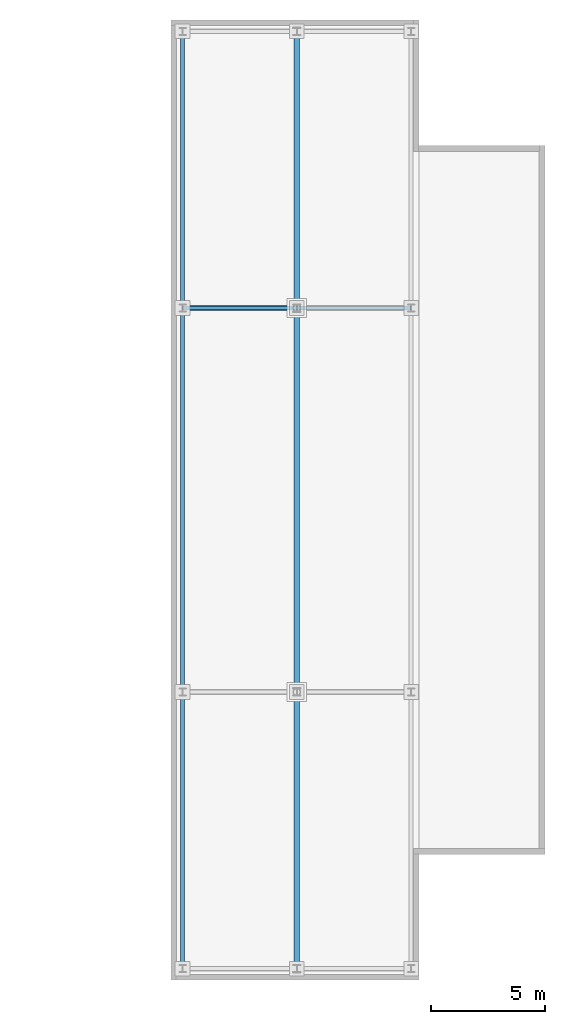
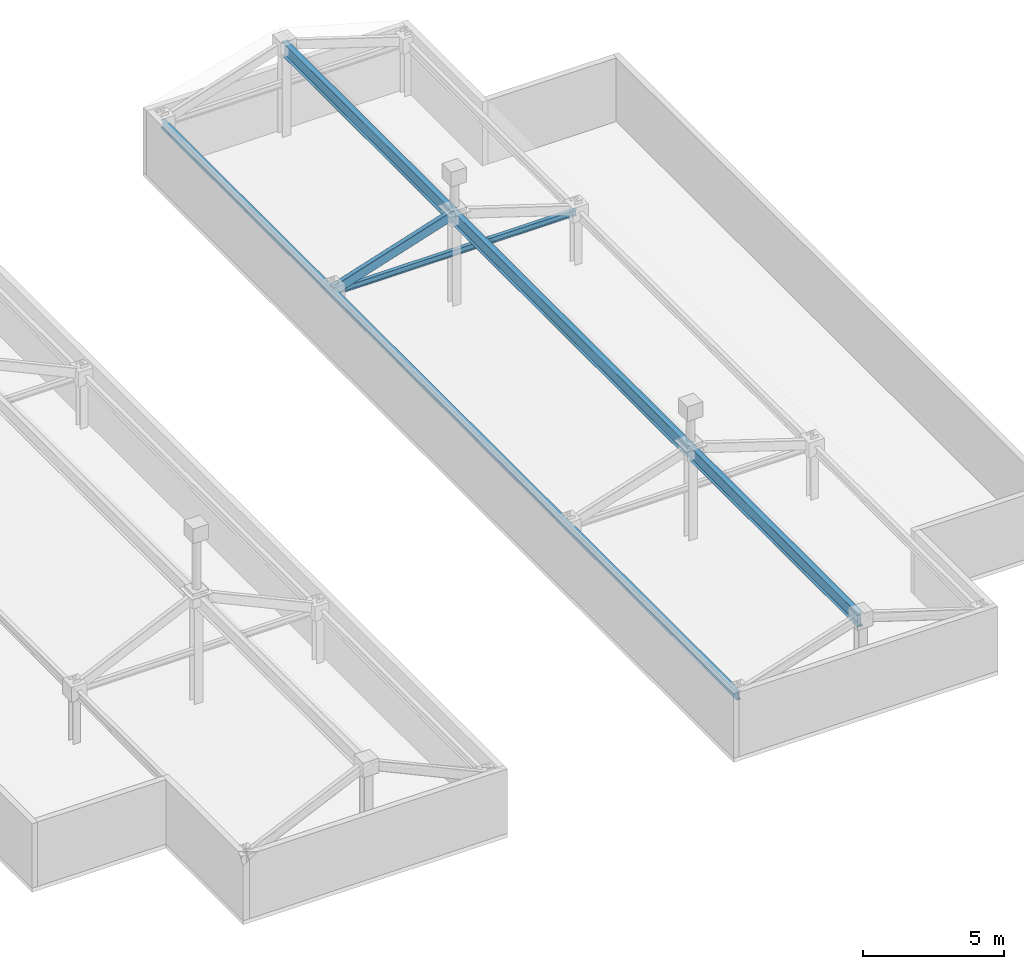
# One storey, part 6 of 9: 3 beams, 1 member.
"""IFC4 building model written with IfcOpenShell, lengths in metres."""

from ifc_helpers import new_model, si_unit, direction, frame, origin, origin_2d, place, context, subcontext, project, spatial, hollow_rectangle, i_section, extrude, material, material_profile, profile_set, type_object, element, save


model = new_model("IFC4")

# Units and contexts
model_context = context("Model", 3, precision=1e-05, world=origin(), true_north=direction((0.0, 1.0)))
body_context = subcontext(model_context, "Body", "Model", "MODEL_VIEW")
ifc_project = project(units=[si_unit("LENGTHUNIT", "METRE"), si_unit("AREAUNIT", "SQUARE_METRE"), si_unit("VOLUMEUNIT", "CUBIC_METRE"), si_unit("PLANEANGLEUNIT", "RADIAN"), si_unit("MASSUNIT", "GRAM", prefix="KILO")], contexts=[model_context])

# Site, building, storey
site_placement = place(None, origin())
site = spatial("IfcSite", under=ifc_project, at=site_placement, CompositionType="ELEMENT")
building_placement = place(site_placement, origin())
building = spatial("IfcBuilding", under=site, at=building_placement, Name="Cairnveth Concourse Tower", CompositionType="ELEMENT")
storey_placement = place(building_placement, frame((0.0, 0.0, 335.5)))
storey = spatial("IfcBuildingStorey", under=building, at=storey_placement, Name="RF", CompositionType="ELEMENT", Elevation=335.5)

# Member
ifc_material_1 = material(Name="Steel C350L0 (350 MPa)", Category="steel")
ifc_material_profile_1 = material_profile(ifc_material_1, hollow_rectangle(XDim=0.199951171875, YDim=0.39990234375, WallThickness=0.012451171875, InnerFilletRadius=0.012939453125, OuterFilletRadius=0.02490234375, at=origin_2d()), Name="400x200x12.5RHS")
ifc_profile_set_1 = profile_set([ifc_material_profile_1], Name="Steel C350L0 (350 MPa)")
member_type = type_object("IfcMemberType", Name="CROWN GABLE CHORD 400X200X12.5RHS", PredefinedType="CHORD", material=ifc_profile_set_1)
member_placement = place(storey_placement, frame((57.14990234375, 47.39990234375, 2.35009765625), z_axis=(0.952432246511, 0.0, 0.304750415595), x_axis=(0.0, 1.0, 0.0)))
element("IfcMember", 1, at=member_placement, inside=storey, type_object=member_type, Name="Structural Brace GCH-EL3 RF", PredefinedType="CHORD", context=body_context, shape_type="SweptSolid", body=[
    extrude(hollow_rectangle(XDim=0.199951171875, YDim=0.39990234375, WallThickness=0.012451171875, InnerFilletRadius=0.012939453125, OuterFilletRadius=0.02490234375, at=origin_2d()), origin(), (0.0, 0.0, 1.0), 5.249755859375),
])

# Beams
ifc_material_2 = material(Name="Steel Grade 350", Category="steel")
ifc_material_profile_2 = material_profile(ifc_material_2, i_section(OverallWidth=0.22802734375, OverallDepth=0.60205078125, WebThickness=0.010498046875, FlangeThickness=0.014892578125, FilletRadius=0.013916015625, at=origin_2d()), Name="610UB101")
ifc_profile_set_2 = profile_set([ifc_material_profile_2], Name="Steel Grade 350")
beam_type_1 = type_object("IfcBeamType", Name="CROWN RIDGE BEAM 610UB101", PredefinedType="BEAM", material=ifc_profile_set_2)
beam_1_placement = place(storey_placement, frame((62.14990234375, 18.5, 3.7900390625), z_axis=(0.0, 1.0, 0.0), x_axis=(-1.0, 0.0, 0.0)))
element("IfcBeam", 2, at=beam_1_placement, inside=storey, type_object=beam_type_1, Name="Crown Peak Ridge Beam E", PredefinedType="BEAM", context=body_context, shape_type="SweptSolid", body=[
    extrude(i_section(OverallWidth=0.22802734375, OverallDepth=0.60205078125, WebThickness=0.010498046875, FlangeThickness=0.014892578125, FilletRadius=0.013916015625, at=origin_2d()), origin(), (0.0, 0.0, 1.0), 41.0),
])
ifc_material_profile_3 = material_profile(ifc_material_2, i_section(OverallWidth=0.14599609375, OverallDepth=0.256103515625, WebThickness=0.00634765625, FlangeThickness=0.010986328125, FilletRadius=0.009033203125, at=origin_2d()), Name="250UB37.3")
ifc_profile_set_3 = profile_set([ifc_material_profile_3], Name="Steel Grade 350")
beam_type_2 = type_object("IfcBeamType", Name="ZONE 4 FLOOR JOIST 250UB37.3", PredefinedType="JOIST", material=ifc_profile_set_3)
beam_2_placement = place(storey_placement, frame((57.14990234375, 47.39990234375, 2.25), z_axis=(1.0, 0.0, 0.0), x_axis=(0.0, 1.0, 0.0)))
element("IfcBeam", 3, at=beam_2_placement, inside=storey, type_object=beam_type_2, Name="Crown Eaves Tie Beam E3", PredefinedType="JOIST", context=body_context, shape_type="SweptSolid", body=[
    extrude(i_section(OverallWidth=0.14599609375, OverallDepth=0.256103515625, WebThickness=0.00634765625, FlangeThickness=0.010986328125, FilletRadius=0.009033203125, at=origin_2d()), origin(), (0.0, 0.0, 1.0), 10.0),
])
ifc_material_profile_4 = material_profile(ifc_material_2, i_section(OverallWidth=0.172119140625, OverallDepth=0.35888671875, WebThickness=0.008056640625, FlangeThickness=0.012939453125, FilletRadius=0.010986328125, at=origin_2d()), Name="360UB56.7")
ifc_profile_set_4 = profile_set([ifc_material_profile_4], Name="Steel Grade 350")
beam_type_3 = type_object("IfcBeamType", Name="ZONE 4 SPANDREL BEAM 360UB56.7", PredefinedType="SPANDREL", material=ifc_profile_set_4)
beam_3_placement = place(storey_placement, frame((57.14990234375, 18.5, 2.25), z_axis=(0.0, 1.0, 0.0), x_axis=(-1.0, 0.0, 0.0)))
element("IfcBeam", 4, at=beam_3_placement, inside=storey, type_object=beam_type_3, Name="Crown Peak Eave Beam LE", PredefinedType="SPANDREL", context=body_context, shape_type="SweptSolid", body=[
    extrude(i_section(OverallWidth=0.172119140625, OverallDepth=0.35888671875, WebThickness=0.008056640625, FlangeThickness=0.012939453125, FilletRadius=0.010986328125, at=origin_2d()), origin(), (0.0, 0.0, 1.0), 41.0),
])

save(model, "model.ifc")
